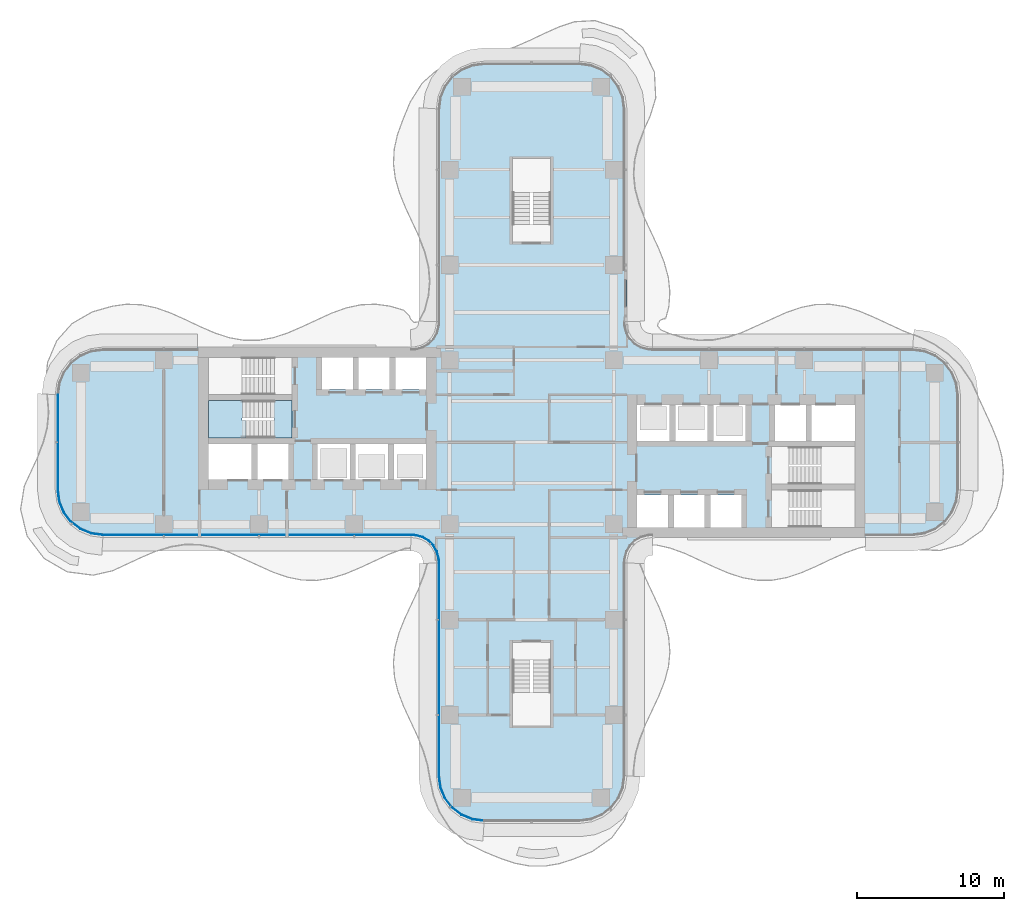
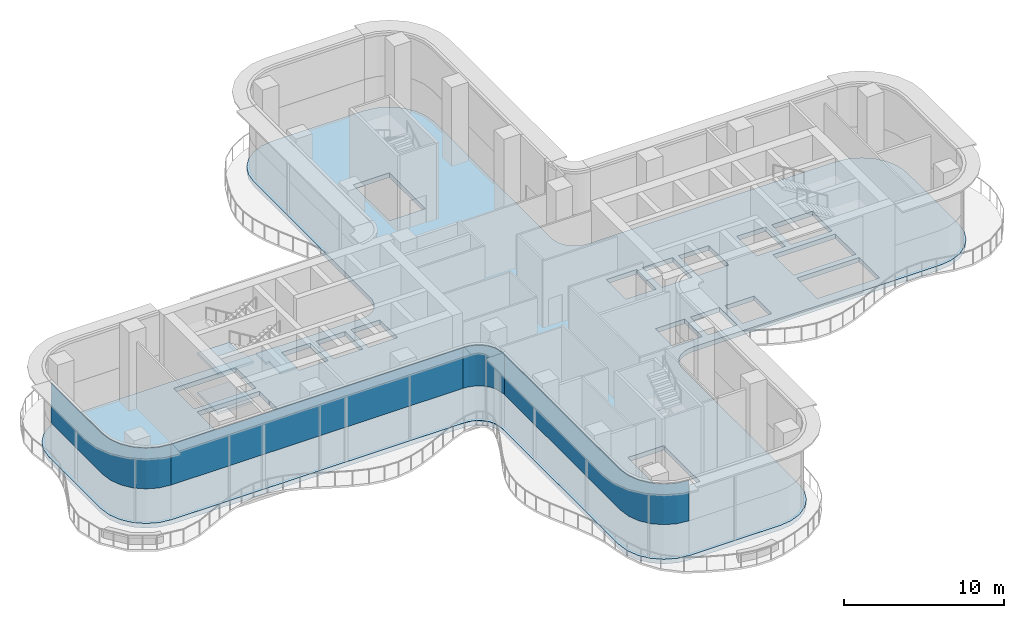
# One storey, part 8 of 19: 4 plates, 4 slabs, 5 elements without a shape of their own.
"""IFC4 building model written with IfcOpenShell, lengths in metres."""

from ifc_helpers import new_model, si_unit, direction, frame, origin, place, context, subcontext, project, spatial, polyline, outline, extrude, source, transform, mapped, material, layer, layer_set, type_object, element, aggregate, save


model = new_model("IFC4")

# Units and contexts
model_context = context("Model", 3, precision=1e-05, world=origin(), true_north=direction((0.0, 1.0)))
body_context = subcontext(model_context, "Body", "Model", "MODEL_VIEW")
ifc_project = project(units=[si_unit("LENGTHUNIT", "METRE"), si_unit("AREAUNIT", "SQUARE_METRE"), si_unit("VOLUMEUNIT", "CUBIC_METRE"), si_unit("PLANEANGLEUNIT", "RADIAN"), si_unit("MASSUNIT", "GRAM", prefix="KILO")], contexts=[model_context])

# Site, building, storey
site_placement = place(None, origin())
site = spatial("IfcSite", under=ifc_project, at=site_placement, CompositionType="ELEMENT")
building_placement = place(site_placement, origin())
building = spatial("IfcBuilding", under=site, at=building_placement, Name="Trellis Farm Tower", CompositionType="ELEMENT")
storey_placement = place(building_placement, frame((0.0, 0.0, 156.0)))
storey = spatial("IfcBuildingStorey", under=building, at=storey_placement, Name="L33", CompositionType="ELEMENT", Elevation=156.0)

# Curtain wall, plate
ifc_material_1 = material(Name="Aluminium and glass curtain wall", Category="aluminium")
ifc_layer_1 = layer(ifc_material_1, 0.196044921875)
ifc_layer_set_1 = layer_set([ifc_layer_1], Name="LOUVRED GLASS CURTAIN WALL CW6")
curtain_wall_type = type_object("IfcCurtainWallType", Name="LOUVRED GLASS CURTAIN WALL CW6", PredefinedType="NOTDEFINED", material=ifc_layer_set_1)
placement_1 = place(storey_placement, origin())
curtain_wall_1 = element("IfcCurtainWall", 1, at=placement_1, inside=storey, type_object=curtain_wall_type, Name="CW6 001", PredefinedType="NOTDEFINED")
ifc_material_2 = material(Name="Clear insulated glass", Category="glass")
ifc_layer_2 = layer(ifc_material_2, 0.035888671875)
ifc_layer_set_2 = layer_set([ifc_layer_2], Name="CW6 GLASS PANEL 36")
plate_type = type_object("IfcPlateType", Name="CW6 GLASS PANEL 36", PredefinedType="CURTAIN_PANEL", material=ifc_layer_set_2)
placement_2 = place(storey_placement, frame((0.0, 0.0, 2.52001953125)))
plate_1 = element("IfcPlate", 2, at=placement_2, type_object=plate_type, Name="PL6 001", PredefinedType="CURTAIN_PANEL", context=body_context, shape_type="SweptSolid", body=[
    extrude(outline(polyline([(-29.239501953125, -6.340087890625), (-8.22607421875, -6.340087890625), (-8.22509765625, -6.303955078125), (-29.237060546875, -6.303955078125), (-29.239501953125, -6.340087890625)])), origin(), (0.0, 0.0, 1.0), 3.080078125),
])
aggregate(curtain_wall_1, [plate_1])

curtain_wall_2 = element("IfcCurtainWall", 3, at=placement_1, inside=storey, type_object=curtain_wall_type, Name="CW6 002", PredefinedType="NOTDEFINED")
plate_2 = element("IfcPlate", 4, at=placement_2, type_object=plate_type, Name="PL6 002", PredefinedType="CURTAIN_PANEL", context=body_context, shape_type="SweptSolid", body=[
    extrude(outline(polyline([(-8.22607421875, -6.340087890625), (-8.00390625, -6.3544921875), (-7.88427734375, -6.370361328125), (-7.44677734375, -6.487548828125), (-7.046142578125, -6.718994140625), (-6.718994140625, -7.046142578125), (-6.487548828125, -7.44677734375), (-6.370361328125, -7.88427734375), (-6.3544921875, -8.00390625), (-6.340087890625, -8.22607421875), (-6.303955078125, -8.22509765625), (-6.31884765625, -8.000244140625), (-6.3349609375, -7.877197265625), (-6.4541015625, -7.432861328125), (-6.690185546875, -7.02392578125), (-7.02392578125, -6.690185546875), (-7.432861328125, -6.4541015625), (-7.877197265625, -6.3349609375), (-8.000244140625, -6.31884765625), (-8.22509765625, -6.303955078125), (-8.22607421875, -6.340087890625)])), origin(), (0.0, 0.0, 1.0), 3.080078125),
])
aggregate(curtain_wall_2, [plate_2])

curtain_wall_3 = element("IfcCurtainWall", 5, at=placement_1, inside=storey, type_object=curtain_wall_type, Name="CW6 003", PredefinedType="NOTDEFINED")
plate_3 = element("IfcPlate", 6, at=placement_2, type_object=plate_type, Name="PL6 003", PredefinedType="CURTAIN_PANEL", context=body_context, shape_type="SweptSolid", body=[
    extrude(outline(polyline([(-6.340087890625, -8.22607421875), (-6.340087890625, -22.739501953125), (-6.2333984375, -23.54931640625), (-5.9248046875, -24.294189453125), (-5.43408203125, -24.93408203125), (-4.794189453125, -25.4248046875), (-4.04931640625, -25.7333984375), (-3.239501953125, -25.840087890625), (-3.237060546875, -25.803955078125), (-4.0400390625, -25.6982421875), (-4.776123046875, -25.393310546875), (-5.408203125, -24.908203125), (-5.893310546875, -24.276123046875), (-6.1982421875, -23.5400390625), (-6.303955078125, -22.737060546875), (-6.303955078125, -8.22509765625), (-6.340087890625, -8.22607421875)])), origin(), (0.0, 0.0, 1.0), 3.080078125),
])
aggregate(curtain_wall_3, [plate_3])

curtain_wall_4 = element("IfcCurtainWall", 7, at=placement_1, inside=storey, type_object=curtain_wall_type, Name="CW6 017", PredefinedType="NOTDEFINED")
plate_4 = element("IfcPlate", 8, at=placement_2, type_object=plate_type, Name="PL6 017", PredefinedType="CURTAIN_PANEL", context=body_context, shape_type="SweptSolid", body=[
    extrude(outline(polyline([(-32.340087890625, 3.239501953125), (-32.340087890625, -3.239501953125), (-32.2333984375, -4.04931640625), (-31.9248046875, -4.794189453125), (-31.43408203125, -5.43408203125), (-30.794189453125, -5.9248046875), (-30.04931640625, -6.2333984375), (-29.239501953125, -6.340087890625), (-29.237060546875, -6.303955078125), (-30.0400390625, -6.1982421875), (-30.776123046875, -5.893310546875), (-31.408203125, -5.408203125), (-31.893310546875, -4.776123046875), (-32.1982421875, -4.0400390625), (-32.303955078125, -3.237060546875), (-32.303955078125, 3.237060546875), (-32.340087890625, 3.239501953125)])), origin(), (0.0, 0.0, 1.0), 3.080078125),
])
aggregate(curtain_wall_4, [plate_4])

# Slab
ifc_material_3 = material(Name="Concrete C40/50", Category="concrete")
ifc_layer_3 = layer(ifc_material_3, 0.35009765625)
ifc_layer_set_3 = layer_set([ifc_layer_3], Name="Composite deck floor slab 350")
slab_type_1 = type_object("IfcSlabType", Name="Composite deck floor slab 350", PredefinedType="FLOOR", material=ifc_layer_set_3)
slab_1_placement = place(storey_placement, frame((0.0, 0.0, -0.35009765625)))
element("IfcSlab", 9, at=slab_1_placement, inside=storey, type_object=slab_type_1, Name="Floor slab", PredefinedType="FLOOR", context=body_context, shape_type="SweptSolid", body=[
    extrude(outline(polyline([(-30.09130859375, -6.389404296875), (-30.875, -6.064697265625), (-31.548095703125, -5.548095703125), (-32.064697265625, -4.875), (-32.389404296875, -4.09130859375), (-32.5, -3.25), (-32.5, 3.25), (-32.389404296875, 4.09130859375), (-32.064697265625, 4.875), (-31.548095703125, 5.548095703125), (-30.875, 6.064697265625), (-30.09130859375, 6.389404296875), (-29.25, 6.5), (-8.2314453125, 6.5), (-8.01953125, 6.513916015625), (-7.91552734375, 6.527587890625), (-7.508544921875, 6.63671875), (-7.144287109375, 6.846923828125), (-6.846923828125, 7.144287109375), (-6.63671875, 7.508544921875), (-6.527587890625, 7.91552734375), (-6.513916015625, 8.01953125), (-6.5, 8.2314453125), (-6.5, 22.75), (-6.389404296875, 23.59130859375), (-6.064697265625, 24.375), (-5.548095703125, 25.048095703125), (-4.875, 25.564697265625), (-4.09130859375, 25.889404296875), (-3.25, 26.0), (3.25, 26.0), (4.09130859375, 25.889404296875), (4.875, 25.564697265625), (5.548095703125, 25.048095703125), (6.064697265625, 24.375), (6.389404296875, 23.59130859375), (6.5, 22.75), (6.5, 8.2314453125), (6.513916015625, 8.01953125), (6.527587890625, 7.91552734375), (6.63671875, 7.508544921875), (6.846923828125, 7.144287109375), (7.144287109375, 6.846923828125), (7.508544921875, 6.63671875), (7.91552734375, 6.527587890625), (8.01953125, 6.513916015625), (8.2314453125, 6.5), (26.0, 6.5), (26.84130859375, 6.389404296875), (27.625, 6.064697265625), (28.298095703125, 5.548095703125), (28.814697265625, 4.875), (29.139404296875, 4.09130859375), (29.25, 3.25), (29.25, -3.25), (29.139404296875, -4.09130859375), (28.814697265625, -4.875), (28.298095703125, -5.548095703125), (27.625, -6.064697265625), (26.84130859375, -6.389404296875), (26.0, -6.5), (8.2314453125, -6.5), (8.01953125, -6.513916015625), (7.91552734375, -6.527587890625), (7.508544921875, -6.63671875), (7.144287109375, -6.846923828125), (6.846923828125, -7.144287109375), (6.63671875, -7.508544921875), (6.527587890625, -7.91552734375), (6.513916015625, -8.01953125), (6.5, -8.2314453125), (6.5, -22.75), (6.389404296875, -23.59130859375), (6.064697265625, -24.375), (5.548095703125, -25.048095703125), (4.875, -25.564697265625), (4.09130859375, -25.889404296875), (3.25, -26.0), (-3.25, -26.0), (-4.09130859375, -25.889404296875), (-4.875, -25.564697265625), (-5.548095703125, -25.048095703125), (-6.064697265625, -24.375), (-6.389404296875, -23.59130859375), (-6.5, -22.75), (-6.5, -8.2314453125), (-6.513916015625, -8.01953125), (-6.527587890625, -7.91552734375), (-6.63671875, -7.508544921875), (-6.846923828125, -7.144287109375), (-7.144287109375, -6.846923828125), (-7.508544921875, -6.63671875), (-7.91552734375, -6.527587890625), (-8.01953125, -6.513916015625), (-8.2314453125, -6.5), (-29.25, -6.5), (-30.09130859375, -6.389404296875)]), holes=[polyline([(-0.10009765625, -14.862060546875), (-1.300048828125, -14.862060546875), (-1.300048828125, -19.35009765625), (1.300048828125, -19.35009765625), (1.300048828125, -14.860107421875), (0.10009765625, -14.860107421875), (0.10009765625, -14.85009765625), (-0.10009765625, -14.85009765625), (-0.10009765625, -14.862060546875)]), polyline([(-22.050048828125, -0.10009765625), (-22.050048828125, -2.550048828125), (-19.10009765625, -2.550048828125), (-19.10009765625, -0.10009765625), (-22.050048828125, -0.10009765625)]), polyline([(-18.699951171875, -0.10009765625), (-18.699951171875, -2.550048828125), (-16.60009765625, -2.550048828125), (-16.60009765625, -0.10009765625), (-18.699951171875, -0.10009765625)]), polyline([(-12.39990234375, -0.10009765625), (-14.60009765625, -0.10009765625), (-14.60009765625, -2.550048828125), (-12.39990234375, -2.550048828125), (-12.39990234375, -0.10009765625)]), polyline([(-9.800048828125, -0.10009765625), (-12.0, -0.10009765625), (-12.0, -2.550048828125), (-9.800048828125, -2.550048828125), (-9.800048828125, -0.10009765625)]), polyline([(-9.39990234375, -0.10009765625), (-9.39990234375, -2.550048828125), (-7.199951171875, -2.550048828125), (-7.199951171875, -0.10009765625), (-9.39990234375, -0.10009765625)]), polyline([(-17.550048828125, 1.64990234375), (-17.56201171875, 1.64990234375), (-17.56201171875, 2.85009765625), (-22.050048828125, 2.85009765625), (-22.050048828125, 0.300048828125), (-17.56005859375, 0.300048828125), (-17.56005859375, 1.5), (-17.550048828125, 1.5), (-17.550048828125, 1.64990234375)]), polyline([(-17.550048828125, 4.60009765625), (-17.56201171875, 4.60009765625), (-17.56201171875, 5.800048828125), (-22.050048828125, 5.800048828125), (-22.050048828125, 3.25), (-17.56005859375, 3.25), (-17.56005859375, 4.449951171875), (-17.550048828125, 4.449951171875), (-17.550048828125, 4.60009765625)]), polyline([(-14.300048828125, 5.800048828125), (-14.300048828125, 3.60009765625), (-12.199951171875, 3.60009765625), (-12.199951171875, 5.800048828125), (-14.300048828125, 5.800048828125)]), polyline([(-9.699951171875, 5.800048828125), (-11.800048828125, 5.800048828125), (-11.800048828125, 3.60009765625), (-9.699951171875, 3.60009765625), (-9.699951171875, 5.800048828125)]), polyline([(-7.199951171875, 5.800048828125), (-9.300048828125, 5.800048828125), (-9.300048828125, 3.60009765625), (-7.199951171875, 3.60009765625), (-7.199951171875, 5.800048828125)]), polyline([(9.300048828125, -5.800048828125), (9.300048828125, -3.60009765625), (7.199951171875, -3.60009765625), (7.199951171875, -5.800048828125), (9.300048828125, -5.800048828125)]), polyline([(11.800048828125, -5.800048828125), (11.800048828125, -3.60009765625), (9.699951171875, -3.60009765625), (9.699951171875, -5.800048828125), (11.800048828125, -5.800048828125)]), polyline([(14.300048828125, -5.800048828125), (14.300048828125, -3.60009765625), (12.199951171875, -3.60009765625), (12.199951171875, -5.800048828125), (14.300048828125, -5.800048828125)]), polyline([(17.550048828125, -4.60009765625), (17.56201171875, -4.60009765625), (17.56201171875, -5.800048828125), (22.050048828125, -5.800048828125), (22.050048828125, -3.25), (17.56005859375, -3.25), (17.56005859375, -4.449951171875), (17.550048828125, -4.449951171875), (17.550048828125, -4.60009765625)]), polyline([(17.550048828125, -1.64990234375), (17.56201171875, -1.64990234375), (17.56201171875, -2.85009765625), (22.050048828125, -2.85009765625), (22.050048828125, -0.300048828125), (17.56005859375, -0.300048828125), (17.56005859375, -1.5), (17.550048828125, -1.5), (17.550048828125, -1.64990234375)]), polyline([(9.39990234375, 0.10009765625), (9.39990234375, 2.550048828125), (7.199951171875, 2.550048828125), (7.199951171875, 0.10009765625), (9.39990234375, 0.10009765625)]), polyline([(9.800048828125, 0.10009765625), (12.0, 0.10009765625), (12.0, 2.550048828125), (9.800048828125, 2.550048828125), (9.800048828125, 0.10009765625)]), polyline([(12.39990234375, 0.10009765625), (14.60009765625, 0.10009765625), (14.60009765625, 2.550048828125), (12.39990234375, 2.550048828125), (12.39990234375, 0.10009765625)]), polyline([(18.699951171875, 0.10009765625), (18.699951171875, 2.550048828125), (16.60009765625, 2.550048828125), (16.60009765625, 0.10009765625), (18.699951171875, 0.10009765625)]), polyline([(19.10009765625, 0.10009765625), (22.050048828125, 0.10009765625), (22.050048828125, 2.550048828125), (19.10009765625, 2.550048828125), (19.10009765625, 0.10009765625)]), polyline([(0.10009765625, 14.85009765625), (0.10009765625, 14.862060546875), (1.300048828125, 14.862060546875), (1.300048828125, 19.35009765625), (-1.300048828125, 19.35009765625), (-1.300048828125, 14.860107421875), (-0.10009765625, 14.860107421875), (-0.10009765625, 14.85009765625), (0.10009765625, 14.85009765625)])]), origin(), (0.0, 0.0, 1.0), 0.35009765625),
])

# Stair, slabs
ifc_material_4 = material(Name="Concrete C50/60", Category="concrete")
stair_type = type_object("IfcStairType", Name="CORE EXIT STAIR 36 RISERS 167 MM", PredefinedType="HALF_TURN_STAIR", material=ifc_material_4)
stair = element("IfcStair", 10, at=placement_1, inside=storey, type_object=stair_type, Name="Exit stair W2", PredefinedType="HALF_TURN_STAIR")
ifc_layer_4 = layer(ifc_material_4, 0.179931640625)
ifc_layer_set_4 = layer_set([ifc_layer_4], Name="CORE STAIR LANDING 180 CONCRETE C50/60")
slab_type_2 = type_object("IfcSlabType", Name="CORE STAIR LANDING 180 CONCRETE C50/60", PredefinedType="LANDING", material=ifc_layer_set_4)
shared_shape_1 = source(origin(), body_context, "Body", "SweptSolid", [
    extrude(outline(polyline([(-19.49072265625, 1.5), (-19.49072265625, 0.300048828125), (-19.75, 0.300048828125), (-22.050048828125, 0.300048828125), (-22.050048828125, 2.85009765625), (-19.75, 2.85009765625), (-19.739990234375, 2.85009765625), (-19.739990234375, 1.64990234375), (-19.75, 1.64990234375), (-19.75, 1.5), (-19.49072265625, 1.5)])), origin(), (0.0, 0.0, 1.0), 0.179931640625),
])
slab_2_placement = place(storey_placement, frame((0.0, 0.0, 1.320068359375)))
slab_2 = element("IfcSlab", 11, at=slab_2_placement, type_object=slab_type_2, Name="STW2 landing 1", PredefinedType="LANDING", context=body_context, shape_type="MappedRepresentation", body=[
    mapped(shared_shape_1, transform((0.0, 0.0, 0.0))),
])
slab_3_placement = place(storey_placement, frame((0.0, 0.0, 4.320068359375)))
slab_3 = element("IfcSlab", 12, at=slab_3_placement, type_object=slab_type_2, Name="STW2 landing 3", PredefinedType="LANDING", context=body_context, shape_type="MappedRepresentation", body=[
    mapped(shared_shape_1, transform((0.0, 0.0, 0.0))),
])
shared_shape_2 = source(origin(), body_context, "Body", "SweptSolid", [
    extrude(outline(polyline([(-17.56005859375, 0.300048828125), (-17.56005859375, 1.5), (-17.550048828125, 1.5), (-17.550048828125, 1.64990234375), (-17.809326171875, 1.64990234375), (-17.809326171875, 2.85009765625), (-17.550048828125, 2.85009765625), (-16.35009765625, 2.85009765625), (-16.35009765625, 0.300048828125), (-17.550048828125, 0.300048828125), (-17.56005859375, 0.300048828125)])), origin(), (0.0, 0.0, 1.0), 0.179931640625),
])
slab_4_placement = place(storey_placement, frame((0.0, 0.0, 2.820068359375)))
slab_4 = element("IfcSlab", 13, at=slab_4_placement, type_object=slab_type_2, Name="STW2 landing 2", PredefinedType="LANDING", context=body_context, shape_type="MappedRepresentation", body=[
    mapped(shared_shape_2, transform((0.0, 0.0, 0.0))),
])
aggregate(stair, [slab_2, slab_4, slab_3])

save(model, "model.ifc")
